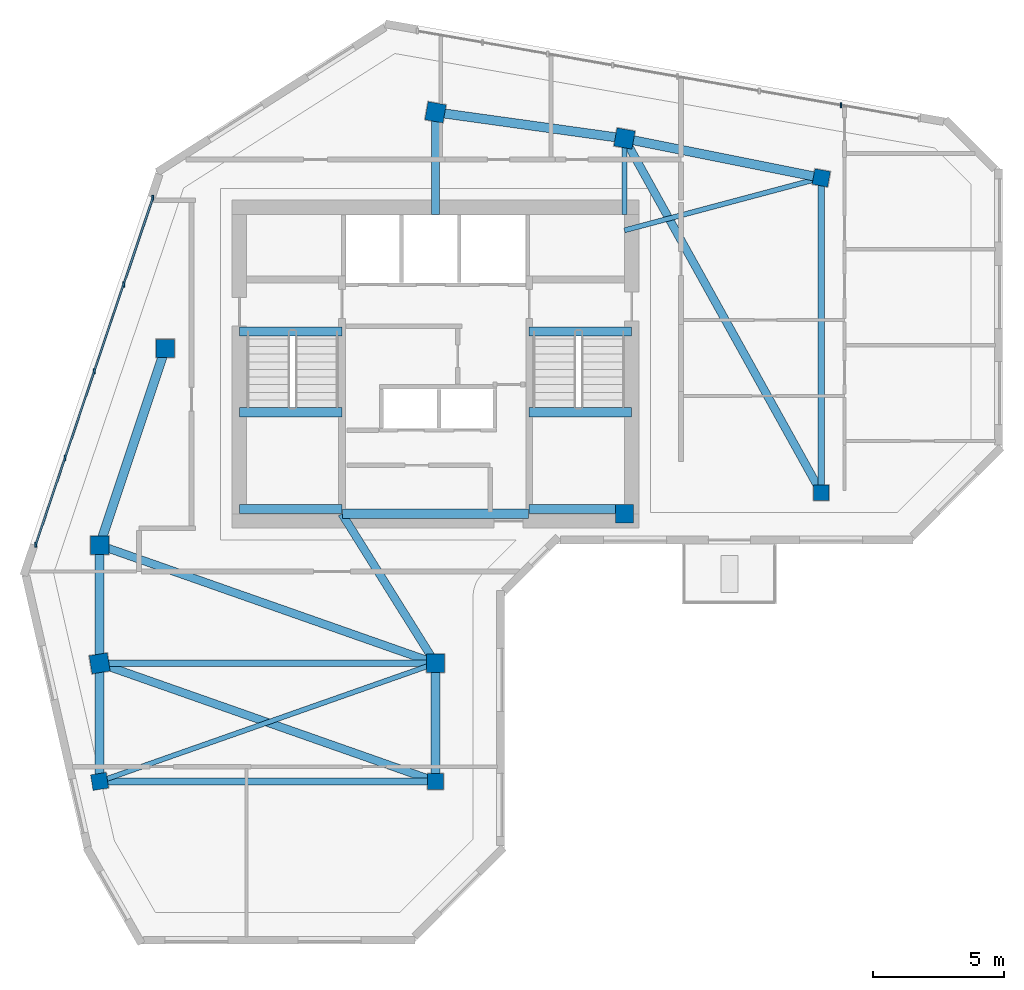
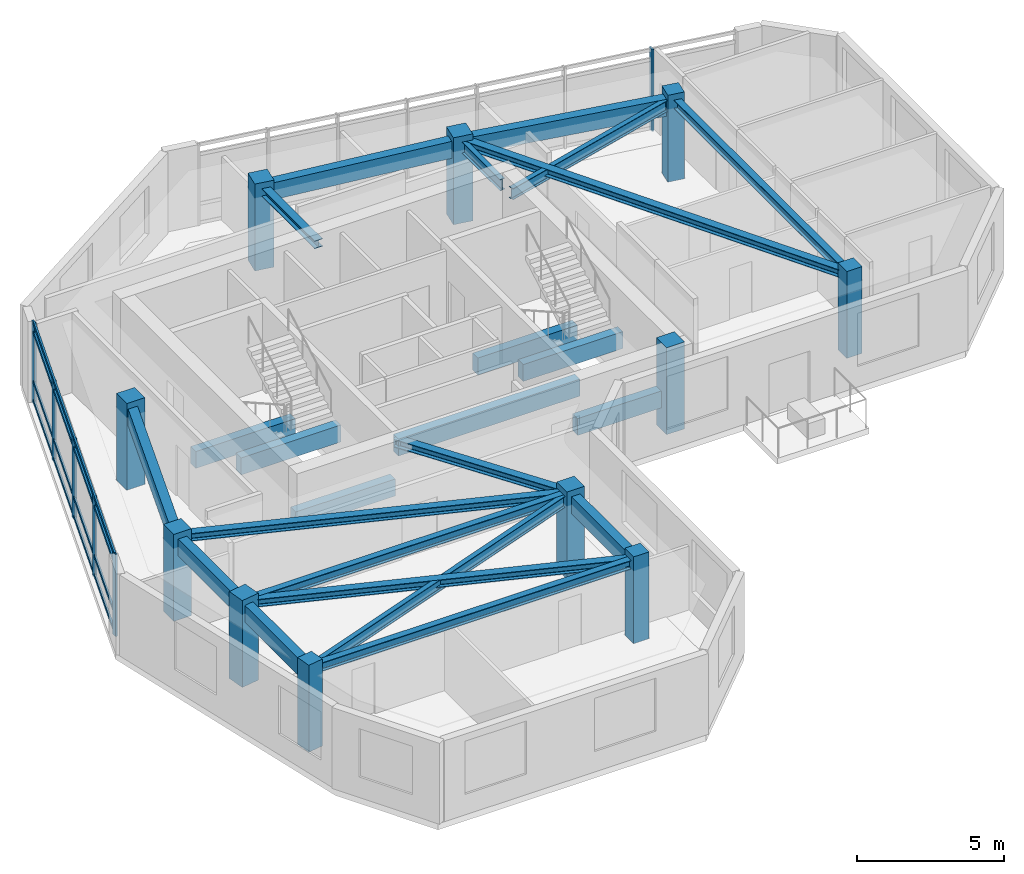
# One storey, part 1 of 9: 24 beams, 11 columns, 10 members, 2 elements without a shape of their own.
"""IFC4 building model written with IfcOpenShell, lengths in metres."""

from ifc_helpers import new_model, si_unit, direction, frame, origin, origin_2d, place, context, subcontext, project, spatial, rectangle, i_section, extrude, source, transform, mapped, material, material_profile, profile_set, type_object, element, aggregate, save


model = new_model("IFC4")

# Units and contexts
model_context = context("Model", 3, precision=1e-05, world=origin(), true_north=direction((0.0, 1.0)))
body_context = subcontext(model_context, "Body", "Model", "MODEL_VIEW")
ifc_project = project(units=[si_unit("LENGTHUNIT", "METRE"), si_unit("AREAUNIT", "SQUARE_METRE"), si_unit("VOLUMEUNIT", "CUBIC_METRE"), si_unit("PLANEANGLEUNIT", "RADIAN"), si_unit("MASSUNIT", "GRAM", prefix="KILO")], contexts=[model_context])

# Site, building, storey
site_placement = place(None, origin())
site = spatial("IfcSite", under=ifc_project, at=site_placement, CompositionType="ELEMENT")
building_placement = place(site_placement, origin())
building = spatial("IfcBuilding", under=site, at=building_placement, Name="Calvemar Wedge Station Tower", CompositionType="ELEMENT")
storey_placement = place(building_placement, frame((0.0, 0.0, 274.5)))
storey = spatial("IfcBuildingStorey", under=building, at=storey_placement, Name="L70", CompositionType="ELEMENT", Elevation=274.5)

# Columns
ifc_material_1 = material(Name="Concrete C50", Category="concrete")
ifc_material_profile_1 = material_profile(ifc_material_1, rectangle(XDim=0.699951171875, YDim=0.699951171875, at=origin_2d()), Name="RC700x700")
ifc_profile_set_1 = profile_set([ifc_material_profile_1], Name="Concrete C50")
column_type_1 = type_object("IfcColumnType", Name="COL-C7-700", PredefinedType="COLUMN", material=ifc_profile_set_1)
shared_shape_1 = source(origin(), body_context, "Body", "SweptSolid", [
    extrude(rectangle(XDim=0.699951171875, YDim=0.699951171875, at=origin_2d()), origin(), (0.0, 0.0, 1.0), 3.60009765625),
])
for number, where, z_axis, x_axis, name in (
    (1, (11.0, 33.0, 0.0), (0.0, 0.0, 1.0), (1.0, 0.0, 0.0), "Storey L70 Column T-NW1"),
    (2, (13.5, 40.5, 0.0), (0.0, 0.0, 1.0), (1.0, 0.0, 0.0), "Storey L70 Column T-NW2"),
    (3, (23.800048828125, 49.5, 0.0), (0.0, 0.0, 1.0), (0.984195607969, -0.17708474032, 0.0), "Storey L70 Column T-N1"),
    (4, (31.0, 48.5, 0.0), (0.0, 0.0, 1.0), (0.984195607969, -0.17708474032, 0.0), "Storey L70 Column T-N2"),
    (5, (31.0, 34.199951171875, 0.0), (0.0, 0.0, 1.0), (1.0, 0.0, 0.0), "Storey L70 Column T-NL1"),
    (6, (11.0, 28.5, 0.0), (0.0, 0.0, 1.0), (0.158158067254, -0.987413806751, 0.0), "Storey L70 Column T-SW1"),
    (7, (23.800048828125, 28.5, 0.0), (0.0, 0.0, 1.0), (1.0, 0.0, 0.0), "Storey L70 Column T-SE1"),
):
    element("IfcColumn", number, at=place(storey_placement, frame(where, z_axis=z_axis, x_axis=x_axis)), inside=storey, type_object=column_type_1, Name=name, PredefinedType="COLUMN", context=body_context, shape_type="MappedRepresentation", body=[
        mapped(shared_shape_1, transform((0.0, 0.0, 0.0), scale=1.0)),
    ])
ifc_material_profile_2 = material_profile(ifc_material_1, rectangle(XDim=0.60009765625, YDim=0.60009765625, at=origin_2d()), Name="RC600x600")
ifc_profile_set_2 = profile_set([ifc_material_profile_2], Name="Concrete C50")
column_type_2 = type_object("IfcColumnType", Name="COL-C8-600", PredefinedType="COLUMN", material=ifc_profile_set_2)
shared_shape_2 = source(origin(), body_context, "Body", "SweptSolid", [
    extrude(rectangle(XDim=0.60009765625, YDim=0.60009765625, at=origin_2d()), origin(), (0.0, 0.0, 1.0), 3.60009765625),
])
for number, where, z_axis, x_axis, name in (
    (8, (38.5, 47.0, 0.0), (0.0, 0.0, 1.0), (0.984195607969, -0.17708474032, 0.0), "Storey L70 Column T-NU3"),
    (9, (38.5, 35.0, 0.0), (0.0, 0.0, 1.0), (1.0, 0.0, 0.0), "Storey L70 Column T-NL2"),
    (10, (11.0, 24.0, 0.0), (0.0, 0.0, 1.0), (0.158158067254, -0.987413806751, 0.0), "Storey L70 Column T-SW2"),
    (11, (23.800048828125, 24.0, 0.0), (0.0, 0.0, 1.0), (1.0, 0.0, 0.0), "Storey L70 Column T-SE2"),
):
    element("IfcColumn", number, at=place(storey_placement, frame(where, z_axis=z_axis, x_axis=x_axis)), inside=storey, type_object=column_type_2, Name=name, PredefinedType="COLUMN", context=body_context, shape_type="MappedRepresentation", body=[
        mapped(shared_shape_2, transform((0.0, 0.0, 0.0), scale=1.0)),
    ])

# Beams
ifc_material_2 = material(Name="Concrete C70", Category="concrete")
ifc_material_profile_3 = material_profile(ifc_material_2, rectangle(XDim=0.35009765625, YDim=0.699951171875, at=origin_2d()), Name="RC350x700")
ifc_profile_set_3 = profile_set([ifc_material_profile_3], Name="Concrete C70")
beam_type_1 = type_object("IfcBeamType", Name="BM-LN1-700", PredefinedType="LINTEL", material=ifc_profile_set_3)
shared_shape_3 = source(origin(), body_context, "Body", "SweptSolid", [
    extrude(rectangle(XDim=0.35009765625, YDim=0.699951171875, at=origin_2d()), origin(), (0.0, 0.0, 1.0), 7.10009765625),
])
beam_1_placement = place(storey_placement, frame((20.25, 34.199951171875, 3.0), z_axis=(1.0, 0.0, 0.0), x_axis=(0.0, 1.0, 0.0)))
element("IfcBeam", 12, at=beam_1_placement, inside=storey, type_object=beam_type_1, Name="Storey L70 Core Coupling Lintel South", PredefinedType="LINTEL", context=body_context, shape_type="MappedRepresentation", body=[
    mapped(shared_shape_3, transform((0.0, 0.0, 0.0), scale=1.0)),
])
ifc_material_3 = material(Name="Structural steel ASTM A572 Grade 50", Category="steel")
ifc_material_profile_4 = material_profile(ifc_material_3, i_section(OverallWidth=0.30908203125, OverallDepth=0.322998046875, WebThickness=0.013916015625, FlangeThickness=0.02294921875, FilletRadius=0.014892578125, at=origin_2d()), Name="W310x143")
ifc_profile_set_4 = profile_set([ifc_material_profile_4], Name="Structural steel ASTM A572 Grade 50")
beam_type_2 = type_object("IfcBeamType", Name="BM-J5-W310H", PredefinedType="JOIST", material=ifc_profile_set_4)
shared_shape_4 = source(origin(), body_context, "Body", "SweptSolid", [
    extrude(i_section(OverallWidth=0.30908203125, OverallDepth=0.322998046875, WebThickness=0.013916015625, FlangeThickness=0.02294921875, FilletRadius=0.014892578125, at=origin_2d()), origin(), (0.0, 0.0, 1.0), 15.443359375),
])
beam_2_placement = place(storey_placement, frame((31.0, 48.5, 3.1884765625), z_axis=(0.485642931179, -0.874157276122, 0.0), x_axis=(0.874157276122, 0.485642931179, 0.0)))
element("IfcBeam", 13, at=beam_2_placement, inside=storey, type_object=beam_type_2, Name="Storey L70 Floor Beam T-N2-T-NL2", PredefinedType="JOIST", context=body_context, shape_type="MappedRepresentation", body=[
    mapped(shared_shape_4, transform((0.0, 0.0, 0.0), scale=1.0)),
])
shared_shape_5 = source(origin(), body_context, "Body", "SweptSolid", [
    extrude(i_section(OverallWidth=0.30908203125, OverallDepth=0.322998046875, WebThickness=0.013916015625, FlangeThickness=0.02294921875, FilletRadius=0.014892578125, at=origin_2d()), origin(), (0.0, 0.0, 1.0), 13.568115234375),
])
for number, where, z_axis, x_axis, name in (
    (14, (11.0, 33.0, 3.1884765625), (0.943398221169, -0.331662171939, 0.0), (0.331662171939, 0.943398221169, 0.0), "Storey L70 Floor Beam T-NW1-T-SE1"),
    (15, (11.0, 28.5, 3.1884765625), (0.943398221169, -0.331662171939, 0.0), (0.331662171939, 0.943398221169, 0.0), "Storey L70 Floor Beam T-SW1-T-SE2"),
):
    element("IfcBeam", number, at=place(storey_placement, frame(where, z_axis=z_axis, x_axis=x_axis)), inside=storey, type_object=beam_type_2, Name=name, PredefinedType="JOIST", context=body_context, shape_type="MappedRepresentation", body=[
        mapped(shared_shape_5, transform((0.0, 0.0, 0.0), scale=1.0)),
    ])
ifc_material_profile_5 = material_profile(ifc_material_3, i_section(OverallWidth=0.19189453125, OverallDepth=0.462890625, WebThickness=0.010498046875, FlangeThickness=0.017578125, FilletRadius=0.012939453125, at=origin_2d()), Name="W460x89")
ifc_profile_set_5 = profile_set([ifc_material_profile_5], Name="Structural steel ASTM A572 Grade 50")
beam_type_3 = type_object("IfcBeamType", Name="BM-J1-W460", PredefinedType="JOIST", material=ifc_profile_set_5)
shared_shape_6 = source(origin(), body_context, "Body", "SweptSolid", [
    extrude(i_section(OverallWidth=0.19189453125, OverallDepth=0.462890625, WebThickness=0.010498046875, FlangeThickness=0.017578125, FilletRadius=0.012939453125, at=origin_2d()), origin(), (0.0, 0.0, 1.0), 13.568115234375),
])
beam_3_placement = place(storey_placement, frame((23.800048828125, 28.5, 3.118408203125), z_axis=(-0.943398221169, -0.331662171939, 0.0), x_axis=(0.331662171939, -0.943398221169, 0.0)))
element("IfcBeam", 16, at=beam_3_placement, inside=storey, type_object=beam_type_3, Name="Storey L70 Floor Beam T-SE1-T-SW2", PredefinedType="JOIST", context=body_context, shape_type="MappedRepresentation", body=[
    mapped(shared_shape_6, transform((0.0, 0.0, 0.0), scale=1.0)),
])
shared_shape_7 = source(origin(), body_context, "Body", "SweptSolid", [
    extrude(i_section(OverallWidth=0.19189453125, OverallDepth=0.462890625, WebThickness=0.010498046875, FlangeThickness=0.017578125, FilletRadius=0.012939453125, at=origin_2d()), origin(), (0.0, 0.0, 1.0), 7.76220703125),
])
beam_4_placement = place(storey_placement, frame((31.0, 45.0, 3.118408203125), z_axis=(0.966234939601, 0.25766265056, 0.0), x_axis=(-0.25766265056, 0.966234939601, 0.0)))
element("IfcBeam", 17, at=beam_4_placement, inside=storey, type_object=beam_type_3, Name="Storey L70 Core-to-Column Joist CJ-E2", PredefinedType="JOIST", context=body_context, shape_type="MappedRepresentation", body=[
    mapped(shared_shape_7, transform((0.0, 0.0, 0.0), scale=1.0)),
])
shared_shape_8 = source(origin(), body_context, "Body", "SweptSolid", [
    extrude(i_section(OverallWidth=0.30908203125, OverallDepth=0.322998046875, WebThickness=0.013916015625, FlangeThickness=0.02294921875, FilletRadius=0.014892578125, at=origin_2d()), origin(), (0.0, 0.0, 1.0), 3.89990234375),
])
beam_5_placement = place(storey_placement, frame((23.800048828125, 45.60009765625, 3.1884765625), z_axis=(0.0, 1.0, 0.0), x_axis=(-1.0, 0.0, 0.0)))
element("IfcBeam", 18, at=beam_5_placement, inside=storey, type_object=beam_type_2, Name="Storey L70 Core-to-Column Joist CJ-N1", PredefinedType="JOIST", context=body_context, shape_type="MappedRepresentation", body=[
    mapped(shared_shape_8, transform((0.0, 0.0, 0.0), scale=1.0)),
])
shared_shape_9 = source(origin(), body_context, "Body", "SweptSolid", [
    extrude(i_section(OverallWidth=0.19189453125, OverallDepth=0.462890625, WebThickness=0.010498046875, FlangeThickness=0.017578125, FilletRadius=0.012939453125, at=origin_2d()), origin(), (0.0, 0.0, 1.0), 2.89990234375),
])
beam_6_placement = place(storey_placement, frame((31.0, 45.60009765625, 3.118408203125), z_axis=(0.0, 1.0, 0.0), x_axis=(-1.0, 0.0, 0.0)))
element("IfcBeam", 19, at=beam_6_placement, inside=storey, type_object=beam_type_3, Name="Storey L70 Core-to-Column Joist CJ-N2", PredefinedType="JOIST", context=body_context, shape_type="MappedRepresentation", body=[
    mapped(shared_shape_9, transform((0.0, 0.0, 0.0), scale=1.0)),
])
shared_shape_10 = source(origin(), body_context, "Body", "SweptSolid", [
    extrude(i_section(OverallWidth=0.30908203125, OverallDepth=0.322998046875, WebThickness=0.013916015625, FlangeThickness=0.02294921875, FilletRadius=0.014892578125, at=origin_2d()), origin(), (0.0, 0.0, 1.0), 6.7255859375),
])
beam_7_placement = place(storey_placement, frame((20.22998046875, 34.199951171875, 3.1884765625), z_axis=(0.530811158438, -0.847490126242, 0.0), x_axis=(0.847490126242, 0.530811158438, 0.0)))
element("IfcBeam", 20, at=beam_7_placement, inside=storey, type_object=beam_type_2, Name="Storey L70 Core-to-Column Joist CJ-S2", PredefinedType="JOIST", context=body_context, shape_type="MappedRepresentation", body=[
    mapped(shared_shape_10, transform((0.0, 0.0, 0.0), scale=1.0)),
])
ifc_material_profile_6 = material_profile(ifc_material_1, rectangle(XDim=0.35009765625, YDim=0.699951171875, at=origin_2d()), Name="RC350x700")
ifc_profile_set_6 = profile_set([ifc_material_profile_6], Name="Concrete C50")
beam_type_4 = type_object("IfcBeamType", Name="BM-SP2-700", PredefinedType="SPANDREL", material=ifc_profile_set_6)
shared_shape_11 = source(origin(), body_context, "Body", "SweptSolid", [
    extrude(rectangle(XDim=0.35009765625, YDim=0.699951171875, at=origin_2d()), origin(), (0.0, 0.0, 1.0), 7.90576171875),
])
beam_8_placement = place(storey_placement, frame((11.0, 33.0, 3.0), z_axis=(0.316227766017, 0.948683298051, 0.0), x_axis=(-0.948683298051, 0.316227766017, 0.0)))
element("IfcBeam", 21, at=beam_8_placement, inside=storey, type_object=beam_type_4, Name="Storey L70 Spandrel T-NW1-T-NW2", PredefinedType="SPANDREL", context=body_context, shape_type="MappedRepresentation", body=[
    mapped(shared_shape_11, transform((0.0, 0.0, 0.0), scale=1.0)),
])
shared_shape_12 = source(origin(), body_context, "Body", "SweptSolid", [
    extrude(rectangle(XDim=0.35009765625, YDim=0.699951171875, at=origin_2d()), origin(), (0.0, 0.0, 1.0), 7.26904296875),
])
beam_9_placement = place(storey_placement, frame((23.800048828125, 49.5, 3.0), z_axis=(0.990492146053, -0.13756928657, 0.0), x_axis=(0.13756928657, 0.990492146053, 0.0)))
element("IfcBeam", 22, at=beam_9_placement, inside=storey, type_object=beam_type_4, Name="Storey L70 Spandrel T-N1-T-N2", PredefinedType="SPANDREL", context=body_context, shape_type="MappedRepresentation", body=[
    mapped(shared_shape_12, transform((0.0, 0.0, 0.0), scale=1.0)),
])
shared_shape_13 = source(origin(), body_context, "Body", "SweptSolid", [
    extrude(rectangle(XDim=0.35009765625, YDim=0.699951171875, at=origin_2d()), origin(), (0.0, 0.0, 1.0), 7.6484375),
])
beam_10_placement = place(storey_placement, frame((31.0, 48.5, 3.0), z_axis=(0.980580675691, -0.196116135138, 0.0), x_axis=(0.196116135138, 0.980580675691, 0.0)))
element("IfcBeam", 23, at=beam_10_placement, inside=storey, type_object=beam_type_4, Name="Storey L70 Spandrel T-N2-T-NU3", PredefinedType="SPANDREL", context=body_context, shape_type="MappedRepresentation", body=[
    mapped(shared_shape_13, transform((0.0, 0.0, 0.0), scale=1.0)),
])
shared_shape_14 = source(origin(), body_context, "Body", "SweptSolid", [
    extrude(rectangle(XDim=0.35009765625, YDim=0.699951171875, at=origin_2d()), origin(), (0.0, 0.0, 1.0), 4.5),
])
for number, where, z_axis, x_axis, name in (
    (24, (11.0, 33.0, 3.0), (0.0, -1.0, 0.0), (1.0, 0.0, 0.0), "Storey L70 Spandrel T-NW1-T-SW1"),
    (25, (11.0, 28.5, 3.0), (0.0, -1.0, 0.0), (1.0, 0.0, 0.0), "Storey L70 Spandrel T-SW1-T-SW2"),
    (26, (23.800048828125, 28.5, 3.0), (0.0, -1.0, 0.0), (1.0, 0.0, 0.0), "Storey L70 Spandrel T-SE1-T-SE2"),
):
    element("IfcBeam", number, at=place(storey_placement, frame(where, z_axis=z_axis, x_axis=x_axis)), inside=storey, type_object=beam_type_4, Name=name, PredefinedType="SPANDREL", context=body_context, shape_type="MappedRepresentation", body=[
        mapped(shared_shape_14, transform((0.0, 0.0, 0.0), scale=1.0)),
    ])
shared_shape_15 = source(origin(), body_context, "Body", "SweptSolid", [
    extrude(rectangle(XDim=0.35009765625, YDim=0.699951171875, at=origin_2d()), origin(), (0.0, 0.0, 1.0), 3.905029296875),
])
for number, where, z_axis, x_axis, name in (
    (27, (16.324951171875, 41.14990234375, -0.35009765625), (1.0, 0.0, 0.0), (0.0, 1.0, 0.0), "Storey L70 Stair ST-C1 Landing Trimmer Beam"),
    (28, (16.324951171875, 34.3798828125, 1.25), (1.0, 0.0, 0.0), (0.0, 1.0, 0.0), "Storey L70 Stair ST-C1 Half-Landing Beam 1A"),
    (29, (16.324951171875, 38.070068359375, 1.25), (1.0, 0.0, 0.0), (0.0, 1.0, 0.0), "Storey L70 Stair ST-C1 Half-Landing Beam 1B"),
):
    element("IfcBeam", number, at=place(storey_placement, frame(where, z_axis=z_axis, x_axis=x_axis)), inside=storey, type_object=beam_type_1, Name=name, PredefinedType="LINTEL", context=body_context, shape_type="MappedRepresentation", body=[
        mapped(shared_shape_15, transform((0.0, 0.0, 0.0), scale=1.0)),
    ])
shared_shape_16 = source(origin(), body_context, "Body", "SweptSolid", [
    extrude(rectangle(XDim=0.35009765625, YDim=0.699951171875, at=origin_2d()), origin(), (0.0, 0.0, 1.0), 3.90478515625),
])
for number, where, z_axis, x_axis, name in (
    (30, (27.3701171875, 41.14990234375, -0.35009765625), (1.0, 0.0, 0.0), (0.0, 1.0, 0.0), "Storey L70 Stair ST-C2 Landing Trimmer Beam"),
    (31, (27.3701171875, 34.3798828125, 1.25), (1.0, 0.0, 0.0), (0.0, 1.0, 0.0), "Storey L70 Stair ST-C2 Half-Landing Beam 1A"),
    (32, (27.3701171875, 38.070068359375, 1.25), (1.0, 0.0, 0.0), (0.0, 1.0, 0.0), "Storey L70 Stair ST-C2 Half-Landing Beam 1B"),
):
    element("IfcBeam", number, at=place(storey_placement, frame(where, z_axis=z_axis, x_axis=x_axis)), inside=storey, type_object=beam_type_1, Name=name, PredefinedType="LINTEL", context=body_context, shape_type="MappedRepresentation", body=[
        mapped(shared_shape_16, transform((0.0, 0.0, 0.0), scale=1.0)),
    ])
ifc_material_profile_7 = material_profile(ifc_material_3, i_section(OverallWidth=0.257080078125, OverallDepth=0.363037109375, WebThickness=0.012939453125, FlangeThickness=0.021728515625, FilletRadius=0.014892578125, at=origin_2d()), Name="W360x122")
ifc_profile_set_7 = profile_set([ifc_material_profile_7], Name="Structural steel ASTM A572 Grade 50")
beam_type_5 = type_object("IfcBeamType", Name="BM-J4-W360", PredefinedType="JOIST", material=ifc_profile_set_7)
shared_shape_17 = source(origin(), body_context, "Body", "SweptSolid", [
    extrude(i_section(OverallWidth=0.257080078125, OverallDepth=0.363037109375, WebThickness=0.012939453125, FlangeThickness=0.021728515625, FilletRadius=0.014892578125, at=origin_2d()), origin(), (0.0, 0.0, 1.0), 12.0),
])
beam_11_placement = place(storey_placement, frame((38.5, 47.0, 3.16845703125), z_axis=(0.0, -1.0, 0.0), x_axis=(1.0, 0.0, 0.0)))
element("IfcBeam", 33, at=beam_11_placement, inside=storey, type_object=beam_type_5, Name="Storey L70 Floor Beam T-NU3-T-NL2", PredefinedType="JOIST", context=body_context, shape_type="MappedRepresentation", body=[
    mapped(shared_shape_17, transform((0.0, 0.0, 0.0), scale=1.0)),
])
shared_shape_18 = source(origin(), body_context, "Body", "SweptSolid", [
    extrude(i_section(OverallWidth=0.257080078125, OverallDepth=0.363037109375, WebThickness=0.012939453125, FlangeThickness=0.021728515625, FilletRadius=0.014892578125, at=origin_2d()), origin(), (0.0, 0.0, 1.0), 12.800048828125),
])
for number, where, z_axis, x_axis, name in (
    (34, (11.0, 28.5, 3.16845703125), (1.0, 0.0, 0.0), (0.0, 1.0, 0.0), "Storey L70 Floor Beam T-SW1-T-SE1"),
    (35, (11.0, 24.0, 3.16845703125), (1.0, 0.0, 0.0), (0.0, 1.0, 0.0), "Storey L70 Floor Beam T-SW2-T-SE2"),
):
    element("IfcBeam", number, at=place(storey_placement, frame(where, z_axis=z_axis, x_axis=x_axis)), inside=storey, type_object=beam_type_5, Name=name, PredefinedType="JOIST", context=body_context, shape_type="MappedRepresentation", body=[
        mapped(shared_shape_18, transform((0.0, 0.0, 0.0), scale=1.0)),
    ])

# Curtain wall, member
ifc_material_4 = material(Name="Anodised aluminium 6063-T6", Category="aluminium")
curtain_wall_type = type_object("IfcCurtainWallType", Name="CW4", PredefinedType="NOTDEFINED", material=ifc_material_4)
curtain_wall_1_placement = place(storey_placement, origin())
curtain_wall_1 = element("IfcCurtainWall", 36, at=curtain_wall_1_placement, inside=storey, type_object=curtain_wall_type, Name="Storey L70 CW4 Recessed Unitised Curtain Wall 10", PredefinedType="NOTDEFINED")
ifc_material_profile_8 = material_profile(ifc_material_4, rectangle(XDim=0.070068359375, YDim=0.199951171875, at=origin_2d()), Name="AL-MUL-70x200")
ifc_profile_set_8 = profile_set([ifc_material_profile_8], Name="Anodised aluminium 6063-T6")
member_type_1 = type_object("IfcMemberType", Name="CW4-MUL", PredefinedType="MULLION", material=ifc_profile_set_8)
shared_shape_19 = source(origin(), body_context, "Body", "SweptSolid", [
    extrude(rectangle(XDim=0.070068359375, YDim=0.199951171875, at=origin_2d()), origin(), (0.0, 0.0, 1.0), 3.400146484375),
])
member_1_placement = place(storey_placement, frame((39.253662109375, 49.768310546875, -0.050048828125), z_axis=(0.0, 0.0, 1.0), x_axis=(1.0, 0.0, 0.0)))
member_1 = element("IfcMember", 37, at=member_1_placement, type_object=member_type_1, Name="CW4 mullion 2", PredefinedType="MULLION", context=body_context, shape_type="MappedRepresentation", body=[
    mapped(shared_shape_19, transform((0.0, 0.0, 0.0), scale=1.0)),
])
aggregate(curtain_wall_1, [member_1])

# Curtain wall, members
curtain_wall_2_placement = place(storey_placement, origin())
curtain_wall_2 = element("IfcCurtainWall", 38, at=curtain_wall_2_placement, inside=storey, type_object=curtain_wall_type, Name="Storey L70 CW4 Recessed Unitised Curtain Wall 12", PredefinedType="NOTDEFINED")
member_2_placement = place(storey_placement, frame((13.030029296875, 46.240478515625, -0.050048828125), z_axis=(0.0, 0.0, 1.0), x_axis=(1.0, 0.0, 0.0)))
member_2 = element("IfcMember", 39, at=member_2_placement, type_object=member_type_1, Name="CW4 mullion 1", PredefinedType="MULLION", context=body_context, shape_type="MappedRepresentation", body=[
    mapped(shared_shape_19, transform((0.0, 0.0, 0.0), scale=1.0)),
])
member_3_placement = place(storey_placement, frame((11.913818359375, 42.93408203125, -0.050048828125), z_axis=(0.0, 0.0, 1.0), x_axis=(1.0, 0.0, 0.0)))
member_3 = element("IfcMember", 40, at=member_3_placement, type_object=member_type_1, Name="CW4 mullion 2", PredefinedType="MULLION", context=body_context, shape_type="MappedRepresentation", body=[
    mapped(shared_shape_19, transform((0.0, 0.0, 0.0), scale=1.0)),
])
member_4_placement = place(storey_placement, frame((10.79736328125, 39.627685546875, -0.050048828125), z_axis=(0.0, 0.0, 1.0), x_axis=(1.0, 0.0, 0.0)))
member_4 = element("IfcMember", 41, at=member_4_placement, type_object=member_type_1, Name="CW4 mullion 3", PredefinedType="MULLION", context=body_context, shape_type="MappedRepresentation", body=[
    mapped(shared_shape_19, transform((0.0, 0.0, 0.0), scale=1.0)),
])
member_5_placement = place(storey_placement, frame((9.680908203125, 36.3212890625, -0.050048828125), z_axis=(0.0, 0.0, 1.0), x_axis=(1.0, 0.0, 0.0)))
member_5 = element("IfcMember", 42, at=member_5_placement, type_object=member_type_1, Name="CW4 mullion 4", PredefinedType="MULLION", context=body_context, shape_type="MappedRepresentation", body=[
    mapped(shared_shape_19, transform((0.0, 0.0, 0.0), scale=1.0)),
])
member_6_placement = place(storey_placement, frame((8.564453125, 33.014892578125, -0.050048828125), z_axis=(0.0, 0.0, 1.0), x_axis=(1.0, 0.0, 0.0)))
member_6 = element("IfcMember", 43, at=member_6_placement, type_object=member_type_1, Name="CW4 mullion 5", PredefinedType="MULLION", context=body_context, shape_type="MappedRepresentation", body=[
    mapped(shared_shape_19, transform((0.0, 0.0, 0.0), scale=1.0)),
])
ifc_material_profile_9 = material_profile(ifc_material_4, rectangle(XDim=0.070068359375, YDim=0.139892578125, at=origin_2d()), Name="AL-TRN-70x140")
ifc_profile_set_9 = profile_set([ifc_material_profile_9], Name="Anodised aluminium 6063-T6")
member_type_2 = type_object("IfcMemberType", Name="CW4-TRN", PredefinedType="USERDEFINED", material=ifc_profile_set_9)
shared_shape_20 = source(origin(), body_context, "Body", "SweptSolid", [
    extrude(rectangle(XDim=0.070068359375, YDim=0.139892578125, at=origin_2d()), origin(), (0.0, 0.0, 1.0), 13.959228515625),
])
member_7_placement = place(storey_placement, frame((13.030029296875, 46.240478515625, 0.06005859375), z_axis=(-0.319903465926, -0.947450142482, 0.0), x_axis=(0.947450142482, -0.319903465926, 0.0)))
member_7 = element("IfcMember", 44, at=member_7_placement, type_object=member_type_2, Name="CW4 transom 1", ObjectType="TRANSOM", PredefinedType="USERDEFINED", context=body_context, shape_type="MappedRepresentation", body=[
    mapped(shared_shape_20, transform((0.0, 0.0, 0.0), scale=1.0)),
])
member_8_placement = place(storey_placement, frame((13.030029296875, 46.240478515625, 0.85009765625), z_axis=(-0.319903465926, -0.947450142482, 0.0), x_axis=(0.947450142482, -0.319903465926, 0.0)))
member_8 = element("IfcMember", 45, at=member_8_placement, type_object=member_type_2, Name="CW4 transom 2", ObjectType="TRANSOM", PredefinedType="USERDEFINED", context=body_context, shape_type="MappedRepresentation", body=[
    mapped(shared_shape_20, transform((0.0, 0.0, 0.0), scale=1.0)),
])
member_9_placement = place(storey_placement, frame((13.030029296875, 46.240478515625, 2.89990234375), z_axis=(-0.319903465926, -0.947450142482, 0.0), x_axis=(0.947450142482, -0.319903465926, 0.0)))
member_9 = element("IfcMember", 46, at=member_9_placement, type_object=member_type_2, Name="CW4 transom 3", ObjectType="TRANSOM", PredefinedType="USERDEFINED", context=body_context, shape_type="MappedRepresentation", body=[
    mapped(shared_shape_20, transform((0.0, 0.0, 0.0), scale=1.0)),
])
member_10_placement = place(storey_placement, frame((13.030029296875, 46.240478515625, 3.2900390625), z_axis=(-0.319903465926, -0.947450142482, 0.0), x_axis=(0.947450142482, -0.319903465926, 0.0)))
member_10 = element("IfcMember", 47, at=member_10_placement, type_object=member_type_2, Name="CW4 transom 4", ObjectType="TRANSOM", PredefinedType="USERDEFINED", context=body_context, shape_type="MappedRepresentation", body=[
    mapped(shared_shape_20, transform((0.0, 0.0, 0.0), scale=1.0)),
])
aggregate(curtain_wall_2, [member_2, member_3, member_4, member_5, member_6, member_7, member_8, member_9, member_10])

save(model, "model.ifc")
